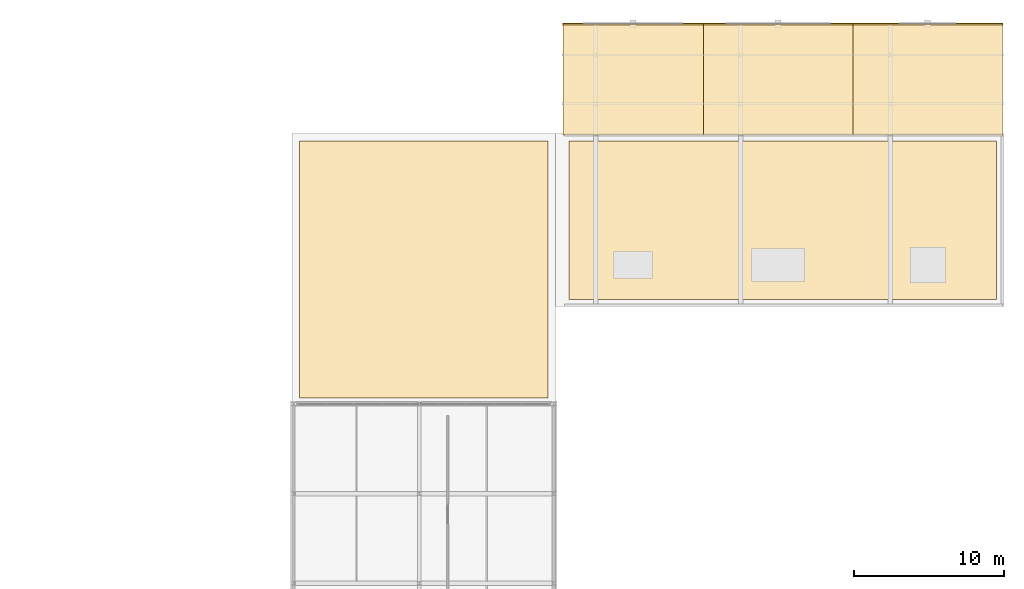
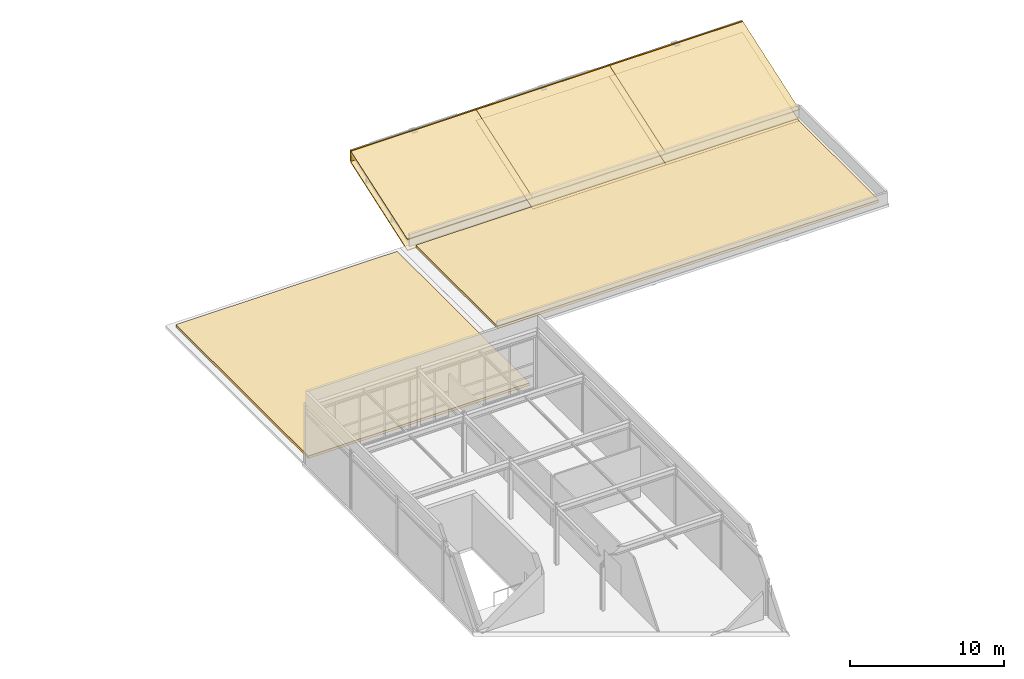
# One storey, part 38 of 38: 14 coverings.
"""IFC4 building model written with IfcOpenShell, lengths in metres."""

from ifc_helpers import new_model, si_unit, direction, frame, origin, origin_2d, place, context, subcontext, project, spatial, polyline, rectangle, outline, extrude, material, layer, layer_set, type_object, element, save


model = new_model("IFC4")

# Units and contexts
model_context = context("Model", 3, precision=1e-05, world=origin(), true_north=direction((0.0, 1.0)))
body_context = subcontext(model_context, "Body", "Model", "MODEL_VIEW")
ifc_project = project(units=[si_unit("LENGTHUNIT", "METRE"), si_unit("AREAUNIT", "SQUARE_METRE"), si_unit("VOLUMEUNIT", "CUBIC_METRE"), si_unit("PLANEANGLEUNIT", "RADIAN"), si_unit("MASSUNIT", "GRAM", prefix="KILO")], contexts=[model_context])

# Site, building, storey
site_placement = place(None, origin())
site = spatial("IfcSite", under=ifc_project, at=site_placement, CompositionType="ELEMENT")
building_placement = place(site_placement, origin())
building = spatial("IfcBuilding", under=site, at=building_placement, Name="Kaldris Quays Convention Centre", CompositionType="ELEMENT")
storey_placement = place(building_placement, frame((0.0, 0.0, 21.60009765625)))
storey = spatial("IfcBuildingStorey", under=building, at=storey_placement, Name="L04", CompositionType="ELEMENT", Elevation=21.60009765625)

# Coverings
ifc_material_1 = material(Name="Alabaster white star-pierced anodized aluminium panel", Category="aluminium")
ifc_layer_1 = layer(ifc_material_1, 0.054931640625)
ifc_layer_set_1 = layer_set([ifc_layer_1], Name="Alabaster white star-pierced anodized aluminium panel")
covering_type_1 = type_object("IfcCoveringType", Name="ALABASTER WHITE STANDING SEAM ROOF SRF1", PredefinedType="ROOFING", material=ifc_layer_set_1)
covering_1_placement = place(storey_placement, frame((164.60009765625, 116.0, 0.565185546875), z_axis=(0.0, -0.325580147558, 0.945514445959), x_axis=(1.0, 0.0, 0.0)))
element("IfcCovering", 1, at=covering_1_placement, inside=storey, type_object=covering_type_1, Name="WR-NORTHEAST Alabaster White Raised Wing Top Cladding 19", PredefinedType="ROOFING", context=body_context, shape_type="SweptSolid", body=[
    extrude(outline(polyline([(0.0, 0.0), (9.39990234375, 0.0), (9.39990234375, 7.826323939712745), (0.0, 7.826323939712745), (0.0, 0.0)])), origin(), (0.0, 0.0, -1.0), 0.054931640625),
])
for number, where, z_axis, x_axis, name in (
    (2, (174.0, 116.0, 0.565185546875), (0.0, -0.325580147558, 0.945514445959), (1.0, 0.0, 0.0), "WR-NORTHEAST Alabaster White Raised Wing Top Cladding 20"),
    (3, (184.0, 116.0, 0.565185546875), (0.0, -0.325580147558, 0.945514445959), (1.0, 0.0, 0.0), "WR-NORTHEAST Alabaster White Raised Wing Top Cladding 21"),
):
    element("IfcCovering", number, at=place(storey_placement, frame(where, z_axis=z_axis, x_axis=x_axis)), inside=storey, type_object=covering_type_1, Name=name, PredefinedType="ROOFING", context=body_context, shape_type="SweptSolid", body=[
        extrude(outline(polyline([(0.0, 0.0), (10.0, 0.0), (10.0, 7.826323939712746), (0.0, 7.826323939712746), (0.0, 0.0)])), origin(), (0.0, 0.0, -1.0), 0.054931640625),
    ])
ifc_material_2 = material(Name="Planted Basler Dachsubstrat mineral green roof", Category="earth")
ifc_layer_2 = layer(ifc_material_2, 0.199951171875)
ifc_layer_set_2 = layer_set([ifc_layer_2], Name="Planted Basler Dachsubstrat mineral green roof")
covering_type_2 = type_object("IfcCoveringType", Name="BASEL NATIVE GREEN ROOF SUBSTRATE GRF1", PredefinedType="ROOFING", material=ifc_layer_set_2)
covering_2_placement = place(storey_placement, origin())
element("IfcCovering", 4, at=covering_2_placement, inside=storey, type_object=covering_type_2, Name="L04 Basler Dachsubstrat Green Roof 3", PredefinedType="ROOFING", context=body_context, shape_type="SweptSolid", body=[
    extrude(outline(polyline([(147.0, 98.39990234375), (163.60009765625, 98.39990234375), (163.60009765625, 115.60009765625), (147.0, 115.60009765625), (147.0, 98.39990234375)])), origin(), (0.0, 0.0, 1.0), 0.199951171875),
])
covering_3_placement = place(storey_placement, origin())
element("IfcCovering", 5, at=covering_3_placement, inside=storey, type_object=covering_type_2, Name="L04 Basler Dachsubstrat Green Roof 4", PredefinedType="ROOFING", context=body_context, shape_type="SweptSolid", body=[
    extrude(outline(polyline([(165.0, 105.0), (193.60009765625, 105.0), (193.60009765625, 115.60009765625), (165.0, 115.60009765625), (165.0, 105.0)])), origin(), (0.0, 0.0, 1.0), 0.199951171875),
])
ifc_material_3 = material(Name="Glulam GL28h", Category="wood")
ifc_layer_3 = layer(ifc_material_3, 0.0400390625)
ifc_layer_set_3 = layer_set([ifc_layer_3], Name="Glulam GL28h")
covering_type_3 = type_object("IfcCoveringType", Name="GLULAM WING SOFFIT TRIM SF02", PredefinedType="CEILING", material=ifc_layer_set_3)
covering_4_placement = place(storey_placement, frame((164.60009765625, 116.0, -0.337158203125), z_axis=(0.0, -0.325580147558, 0.945514445959), x_axis=(1.0, 0.0, 0.0)))
element("IfcCovering", 6, at=covering_4_placement, inside=storey, type_object=covering_type_3, Name="WR-NORTHEAST Glulam GL28h Wing Soffit Trim 19", PredefinedType="CEILING", context=body_context, shape_type="SweptSolid", body=[
    extrude(outline(polyline([(0.0, 0.0), (9.39990234375, 0.0), (9.39990234375, 7.826323939712745), (0.0, 7.826323939712745), (0.0, 0.0)])), origin(), (0.0, 0.0, -1.0), 0.0400390625),
])
for number, where, z_axis, x_axis, name in (
    (7, (174.0, 116.0, -0.337158203125), (0.0, -0.325580147558, 0.945514445959), (1.0, 0.0, 0.0), "WR-NORTHEAST Glulam GL28h Wing Soffit Trim 20"),
    (8, (184.0, 116.0, -0.337158203125), (0.0, -0.325580147558, 0.945514445959), (1.0, 0.0, 0.0), "WR-NORTHEAST Glulam GL28h Wing Soffit Trim 21"),
):
    element("IfcCovering", number, at=place(storey_placement, frame(where, z_axis=z_axis, x_axis=x_axis)), inside=storey, type_object=covering_type_3, Name=name, PredefinedType="CEILING", context=body_context, shape_type="SweptSolid", body=[
        extrude(outline(polyline([(0.0, 0.0), (10.0, 0.0), (10.0, 7.826323939712746), (0.0, 7.826323939712746), (0.0, 0.0)])), origin(), (0.0, 0.0, -1.0), 0.0400390625),
    ])
ifc_layer_4 = layer(ifc_material_1, 0.044921875)
ifc_layer_set_4 = layer_set([ifc_layer_4], Name="Alabaster white star-pierced anodized aluminium panel")
covering_type_4 = type_object("IfcCoveringType", Name="STAR PIERCED WHITE FOLDED SCREEN CL01", PredefinedType="CLADDING", material=ifc_layer_set_4)
covering_5_placement = place(storey_placement, frame((169.300048828125, 123.39990234375, 2.283203125), z_axis=(0.0, 0.0, 1.0), x_axis=(-1.0, 0.0, 0.0)))
element("IfcCovering", 9, at=covering_5_placement, inside=storey, type_object=covering_type_4, Name="WR-NORTHEAST Alabaster White Wing Leading Fascia 19", PredefinedType="CLADDING", context=body_context, shape_type="SweptSolid", body=[
    extrude(rectangle(XDim=9.39990234375, YDim=0.1201171875, at=origin_2d()), origin(), (0.0, 0.0, 1.0), 0.85009765625),
])
for number, where, z_axis, x_axis, name in (
    (10, (179.0, 123.39990234375, 2.283203125), (0.0, 0.0, 1.0), (-1.0, 0.0, 0.0), "WR-NORTHEAST Alabaster White Wing Leading Fascia 20"),
    (11, (189.0, 123.39990234375, 2.283203125), (0.0, 0.0, 1.0), (-1.0, 0.0, 0.0), "WR-NORTHEAST Alabaster White Wing Leading Fascia 21"),
):
    element("IfcCovering", number, at=place(storey_placement, frame(where, z_axis=z_axis, x_axis=x_axis)), inside=storey, type_object=covering_type_4, Name=name, PredefinedType="CLADDING", context=body_context, shape_type="SweptSolid", body=[
        extrude(rectangle(XDim=10.0, YDim=0.1201171875, at=origin_2d()), origin(), (0.0, 0.0, 1.0), 0.85009765625),
    ])
ifc_layer_5 = layer(ifc_material_1, 0.034912109375)
ifc_layer_set_5 = layer_set([ifc_layer_5], Name="Alabaster white star-pierced anodized aluminium panel")
covering_type_5 = type_object("IfcCoveringType", Name="STAR PIERCED WHITE WING SOFFIT SF01", PredefinedType="CEILING", material=ifc_layer_set_5)
covering_6_placement = place(storey_placement, frame((164.60009765625, 116.0, -0.2919921875), z_axis=(0.0, -0.325552259056, 0.945524048676), x_axis=(1.0, 0.0, 0.0)))
element("IfcCovering", 12, at=covering_6_placement, inside=storey, type_object=covering_type_5, Name="WR-NORTHEAST Star-Pierced White Wing Soffit 19", PredefinedType="CEILING", context=body_context, shape_type="SweptSolid", body=[
    extrude(outline(polyline([(0.0, 0.0), (9.39990234375, 0.0), (9.39990234375, 7.826244455776373), (0.0, 7.826244455776373), (0.0, 0.0)])), origin(), (0.0, 0.0, -1.0), 0.044921875),
])
for number, where, z_axis, x_axis, name in (
    (13, (174.0, 116.0, -0.2919921875), (0.0, -0.325552259056, 0.945524048676), (1.0, 0.0, 0.0), "WR-NORTHEAST Star-Pierced White Wing Soffit 20"),
    (14, (184.0, 116.0, -0.2919921875), (0.0, -0.325552259056, 0.945524048676), (1.0, 0.0, 0.0), "WR-NORTHEAST Star-Pierced White Wing Soffit 21"),
):
    element("IfcCovering", number, at=place(storey_placement, frame(where, z_axis=z_axis, x_axis=x_axis)), inside=storey, type_object=covering_type_5, Name=name, PredefinedType="CEILING", context=body_context, shape_type="SweptSolid", body=[
        extrude(outline(polyline([(0.0, 0.0), (10.0, 0.0), (10.0, 7.826244455776374), (0.0, 7.826244455776374), (0.0, 0.0)])), origin(), (0.0, 0.0, -1.0), 0.044921875),
    ])

save(model, "model.ifc")
